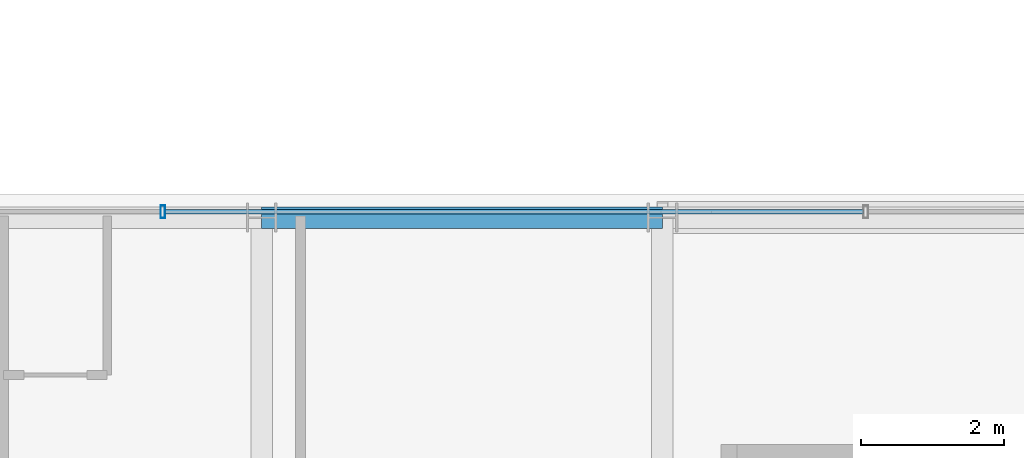
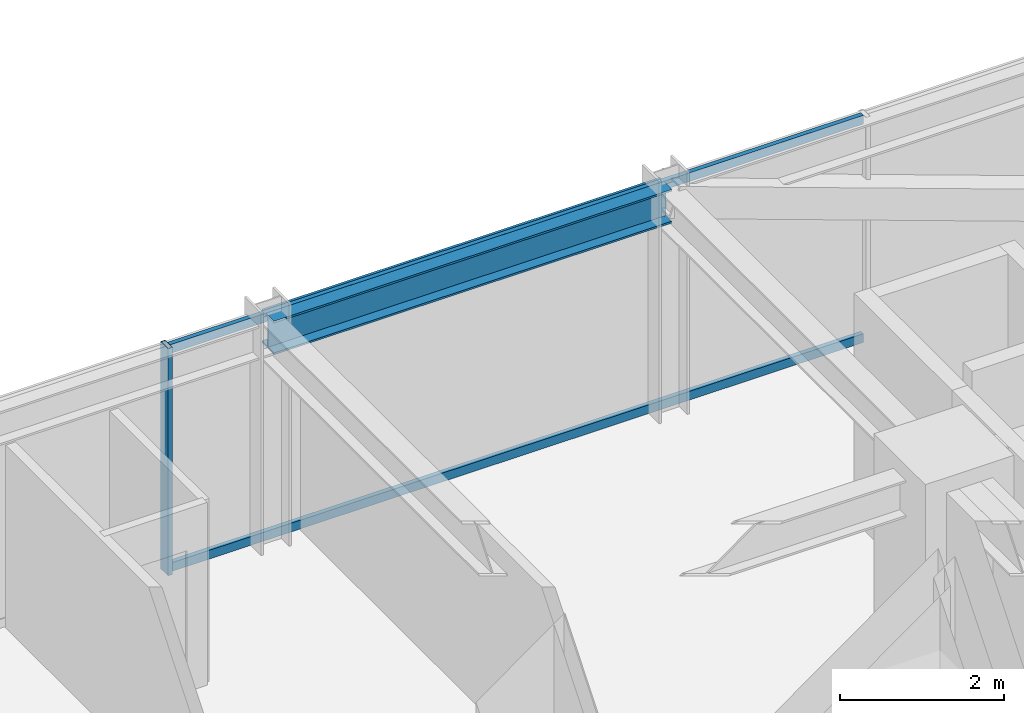
# One storey, part 21 of 34: 3 members, 1 beam, 1 element without a shape of its own.
"""IFC4 building model written with IfcOpenShell, lengths in metres."""

from ifc_helpers import new_model, si_unit, direction, frame, origin, origin_2d, place, context, subcontext, project, spatial, hollow_rectangle, i_section, extrude, source, transform, mapped, material, material_profile, profile_set, type_object, element, aggregate, save


model = new_model("IFC4")

# Units and contexts
model_context = context("Model", 3, precision=1e-05, world=origin(), true_north=direction((0.0, 1.0)))
body_context = subcontext(model_context, "Body", "Model", "MODEL_VIEW")
ifc_project = project(units=[si_unit("LENGTHUNIT", "METRE"), si_unit("AREAUNIT", "SQUARE_METRE"), si_unit("VOLUMEUNIT", "CUBIC_METRE"), si_unit("PLANEANGLEUNIT", "RADIAN"), si_unit("MASSUNIT", "GRAM", prefix="KILO")], contexts=[model_context])

# Site, building, storey
site_placement = place(None, origin())
site = spatial("IfcSite", under=ifc_project, at=site_placement, CompositionType="ELEMENT")
building_placement = place(site_placement, origin())
building = spatial("IfcBuilding", under=site, at=building_placement, Name="Nahalor Promenade Grand Hotel", CompositionType="ELEMENT")
storey_placement = place(building_placement, frame((0.0, 0.0, 99.25)))
storey = spatial("IfcBuildingStorey", under=building, at=storey_placement, Name="L24", CompositionType="ELEMENT", Elevation=99.25)

# Beam
ifc_material_1 = material(Name="Steel S355JR", Category="steel")
ifc_material_profile_1 = material_profile(ifc_material_1, i_section(OverallWidth=0.3, OverallDepth=0.5, WebThickness=0.0145, FlangeThickness=0.028, at=origin_2d()), Name="HEB 500")
ifc_profile_set_1 = profile_set([ifc_material_profile_1], Name="Steel S355JR")
beam_type = type_object("IfcBeamType", Name="Beam-Spandrel-HEB500", PredefinedType="SPANDREL", material=ifc_profile_set_1)
shared_shape_1 = source(origin(), body_context, "Body", "SweptSolid", [
    extrude(i_section(OverallWidth=0.3, OverallDepth=0.5, WebThickness=0.0145, FlangeThickness=0.028, at=origin_2d()), origin(), (0.0, 0.0, 1.0), 5.599853515625),
])
beam_placement = place(storey_placement, frame((2.800048828125, 23.780029296875, 3.1298828125), z_axis=(1.0, 0.0, 0.0), x_axis=(0.0, 1.0, 0.0)))
element("IfcBeam", 1, at=beam_placement, inside=storey, type_object=beam_type, Name="BM-L24-SP-N-3", PredefinedType="SPANDREL", context=body_context, shape_type="MappedRepresentation", body=[
    mapped(shared_shape_1, transform((0.0, 0.0, 0.0), scale=1.0)),
])

# Curtain wall, members
ifc_material_2 = material(Name="Anodised Bronze Aluminium EN AW-6063 T6", Category="aluminium")
curtain_wall_type = type_object("IfcCurtainWallType", Name="CW2 Typical Hotel Flush Bronze Unitised Curtain Wall", PredefinedType="USERDEFINED", material=ifc_material_2)
curtain_wall_placement = place(storey_placement, origin())
curtain_wall = element("IfcCurtainWall", 2, at=curtain_wall_placement, inside=storey, type_object=curtain_wall_type, Name="L24 Curtain Wall CW-L24-N-3", ObjectType="UNITISED_CURTAIN_WALL", PredefinedType="USERDEFINED")
ifc_material_profile_2 = material_profile(ifc_material_2, hollow_rectangle(XDim=0.065, YDim=0.18, WallThickness=0.004, at=origin_2d()), Name="CWM 65x180x4")
ifc_profile_set_2 = profile_set([ifc_material_profile_2], Name="Anodised Bronze Aluminium EN AW-6063 T6")
member_type_1 = type_object("IfcMemberType", Name="CWM2 Typical Bronze Mullion 65x180", PredefinedType="MULLION", material=ifc_profile_set_2)
shared_shape_2 = source(origin(), body_context, "Body", "SweptSolid", [
    extrude(hollow_rectangle(XDim=0.065, YDim=0.18, WallThickness=0.004, at=origin_2d()), origin(), (0.0, 0.0, 1.0), 3.3798828125),
])
member_1_placement = place(storey_placement, frame((1.419921875, 23.860107421875, 0.0), z_axis=(0.0, 0.0, 1.0), x_axis=(1.0, 0.0, 0.0)))
member_1 = element("IfcMember", 3, at=member_1_placement, type_object=member_type_1, Name="CW-L24-N-3 Mullion 1", PredefinedType="MULLION", context=body_context, shape_type="MappedRepresentation", body=[
    mapped(shared_shape_2, transform((0.0, 0.0, 0.0), scale=1.0)),
])
ifc_material_profile_3 = material_profile(ifc_material_2, hollow_rectangle(XDim=0.065, YDim=0.13, WallThickness=0.004, at=origin_2d()), Name="CWT 65x130x4")
ifc_profile_set_3 = profile_set([ifc_material_profile_3], Name="Anodised Bronze Aluminium EN AW-6063 T6")
member_type_2 = type_object("IfcMemberType", Name="CWT2 Typical Bronze Transom 65x130", PredefinedType="USERDEFINED", material=ifc_profile_set_3)
shared_shape_3 = source(origin(), body_context, "Body", "SweptSolid", [
    extrude(hollow_rectangle(XDim=0.065, YDim=0.13, WallThickness=0.004, at=origin_2d()), origin(), (0.0, 0.0, 1.0), 9.755126953125),
])
member_2_placement = place(storey_placement, frame((1.452392578125, 23.860107421875, 0.06494140625), z_axis=(1.0, 0.0, 0.0), x_axis=(0.0, 1.0, 0.0)))
member_2 = element("IfcMember", 4, at=member_2_placement, type_object=member_type_2, Name="CW-L24-N-3 Transom 1-0", ObjectType="TRANSOM", PredefinedType="USERDEFINED", context=body_context, shape_type="MappedRepresentation", body=[
    mapped(shared_shape_3, transform((0.0, 0.0, 0.0), scale=1.0)),
])
member_3_placement = place(storey_placement, frame((1.452392578125, 23.860107421875, 3.31494140625), z_axis=(1.0, 0.0, 0.0), x_axis=(0.0, 1.0, 0.0)))
member_3 = element("IfcMember", 5, at=member_3_placement, type_object=member_type_2, Name="CW-L24-N-3 Transom 1-1", ObjectType="TRANSOM", PredefinedType="USERDEFINED", context=body_context, shape_type="MappedRepresentation", body=[
    mapped(shared_shape_3, transform((0.0, 0.0, 0.0), scale=1.0)),
])
aggregate(curtain_wall, [member_1, member_2, member_3])

save(model, "model.ifc")
